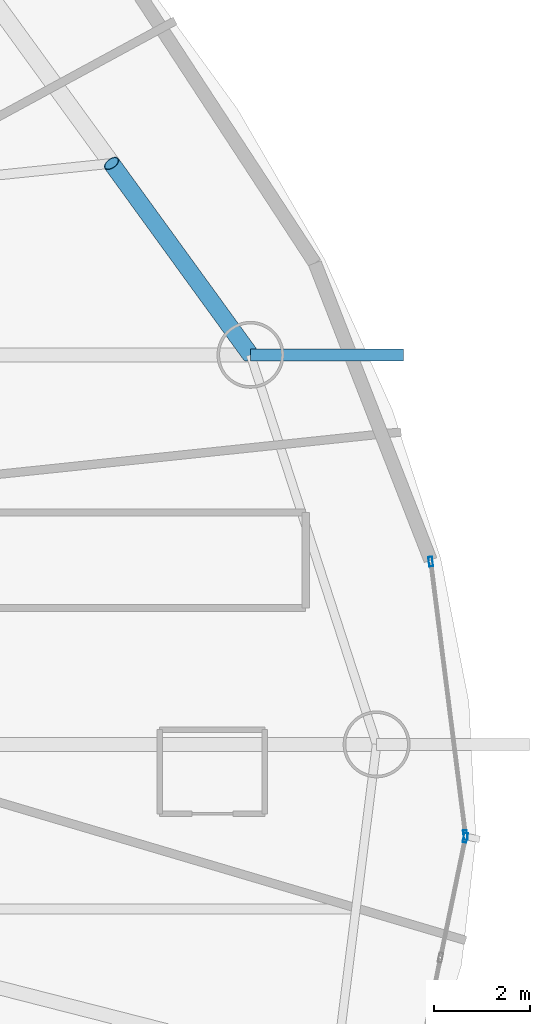
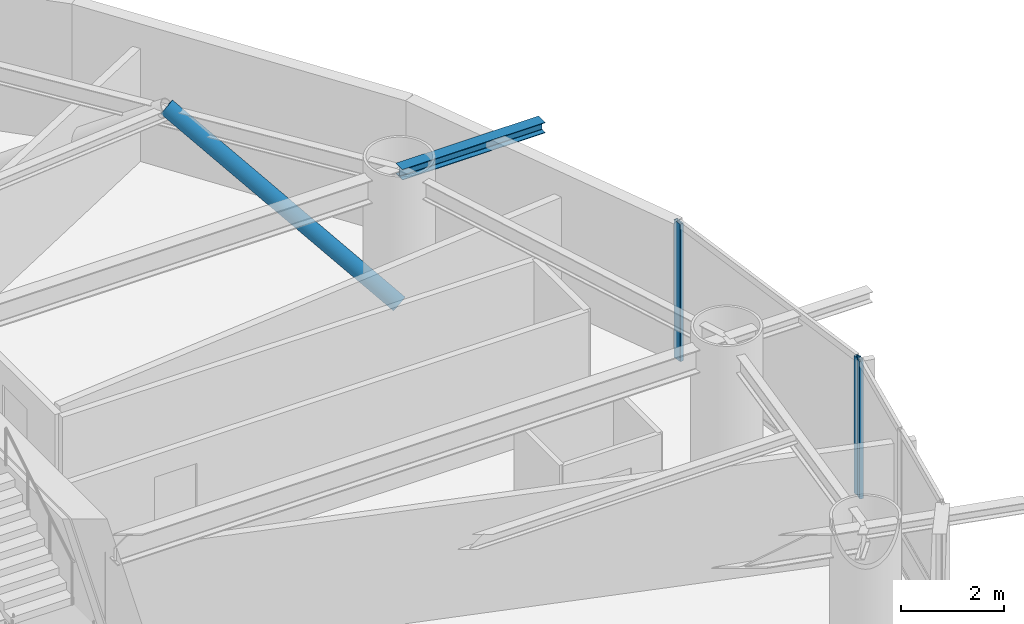
# One storey, part 12 of 26: 4 members, 1 beam, 2 elements without a shape of their own.
"""IFC4 building model written with IfcOpenShell, lengths in metres."""

from ifc_helpers import new_model, si_unit, direction, frame, origin, origin_2d, place, context, subcontext, project, spatial, hollow_rectangle, hollow_circle, i_section, extrude, material, layer, layer_set, material_profile, profile_set, type_object, element, aggregate, save


model = new_model("IFC4")

# Units and contexts
model_context = context("Model", 3, precision=1e-05, world=origin(), true_north=direction((0.0, 1.0)))
body_context = subcontext(model_context, "Body", "Model", "MODEL_VIEW")
ifc_project = project(units=[si_unit("LENGTHUNIT", "METRE"), si_unit("AREAUNIT", "SQUARE_METRE"), si_unit("VOLUMEUNIT", "CUBIC_METRE"), si_unit("PLANEANGLEUNIT", "RADIAN"), si_unit("MASSUNIT", "GRAM", prefix="KILO")], contexts=[model_context])

# Site, building, storey
site_placement = place(None, origin())
site = spatial("IfcSite", under=ifc_project, at=site_placement, CompositionType="ELEMENT")
building_placement = place(site_placement, origin())
building = spatial("IfcBuilding", under=site, at=building_placement, Name="Bramvorn Convention Spire", CompositionType="ELEMENT")
storey_placement = place(building_placement, frame((0.0, 0.0, 123.800048828125)))
storey = spatial("IfcBuildingStorey", under=building, at=storey_placement, Name="L30", CompositionType="ELEMENT", Elevation=123.800048828125)

# Beam
ifc_material_1 = material(Name="Steel CSA G40.21 Grade 350 (350W)", Category="steel")
ifc_material_profile_1 = material_profile(ifc_material_1, i_section(OverallWidth=0.25390625, OverallDepth=0.2529296875, WebThickness=0.008544921875, FlangeThickness=0.01416015625, FilletRadius=0.011962890625, at=origin_2d()))
ifc_profile_set_1 = profile_set([ifc_material_profile_1], Name="Steel CSA G40.21 Grade 350 (350W) - W250X73")
beam_type = type_object("IfcBeamType", Name="BM-W250X73", PredefinedType="BEAM", material=ifc_profile_set_1)
beam_placement = place(storey_placement, frame((60.345703125, 30.293212890625, 3.133544921875), z_axis=(1.0, 0.0, 0.0), x_axis=(0.0, 1.0, 0.0)))
element("IfcBeam", 1, at=beam_placement, inside=storey, type_object=beam_type, Name="L30 slab-edge cantilever tip beam MC03", PredefinedType="BEAM", context=body_context, shape_type="SweptSolid", body=[
    extrude(i_section(OverallWidth=0.25390625, OverallDepth=0.2529296875, WebThickness=0.008544921875, FlangeThickness=0.01416015625, FilletRadius=0.011962890625, at=origin_2d()), origin(), (0.0, 0.0, 1.0), 3.199951171875),
])

# Curtain wall, member
ifc_material_2 = material(Name="Anodised Bronze Unitised Curtain Wall", Category="aluminium")
ifc_layer = layer(ifc_material_2, 0.179931640625)
ifc_layer_set = layer_set([ifc_layer], Name="Anodised Bronze Unitised Curtain Wall - CW-HTL-FRIT")
curtain_wall_type = type_object("IfcCurtainWallType", Name="CW-HTL-FRIT", PredefinedType="USERDEFINED", material=ifc_layer_set)
curtain_wall_1_placement = place(storey_placement, origin())
curtain_wall_1 = element("IfcCurtainWall", 2, at=curtain_wall_1_placement, inside=storey, type_object=curtain_wall_type, Name="L30 fritted glass curtain wall 01", ObjectType="UNITISED CURTAIN WALL", PredefinedType="USERDEFINED")
ifc_material_3 = material(Name="Anodised Bronze Aluminium 6063-T6", Category="aluminium")
ifc_material_profile_2 = material_profile(ifc_material_3, hollow_rectangle(XDim=0.080078125, YDim=0.199951171875, WallThickness=0.00390625, InnerFilletRadius=0.0009765625, OuterFilletRadius=0.00390625, at=origin_2d()))
ifc_profile_set_2 = profile_set([ifc_material_profile_2], Name="Anodised Bronze Aluminium 6063-T6 - CWM80X200")
member_type_1 = type_object("IfcMemberType", Name="CW-MUL-180", PredefinedType="MULLION", material=ifc_profile_set_2)
member_1_placement = place(storey_placement, frame((64.8388671875, 20.1943359375, 0.0), z_axis=(0.0, 0.0, 1.0), x_axis=(0.979146822736, -0.203153881394, 0.0)))
member_1 = element("IfcMember", 3, at=member_1_placement, type_object=member_type_1, Name="CW2 mullion 1", PredefinedType="MULLION", context=body_context, shape_type="SweptSolid", body=[
    extrude(hollow_rectangle(XDim=0.080078125, YDim=0.199951171875, WallThickness=0.00390625, InnerFilletRadius=0.0009765625, OuterFilletRadius=0.00390625, at=origin_2d()), origin(), (0.0, 0.0, 1.0), 3.260009765625),
])
aggregate(curtain_wall_1, [member_1])

# Curtain wall, members
curtain_wall_2_placement = place(storey_placement, origin())
curtain_wall_2 = element("IfcCurtainWall", 4, at=curtain_wall_2_placement, inside=storey, type_object=curtain_wall_type, Name="L30 fritted glass curtain wall 02", ObjectType="UNITISED CURTAIN WALL", PredefinedType="USERDEFINED")
member_2_placement = place(storey_placement, frame((64.11474609375, 25.97021484375, 0.0), z_axis=(0.0, 0.0, 1.0), x_axis=(0.992022687521, 0.126059459955, 0.0)))
member_2 = element("IfcMember", 5, at=member_2_placement, type_object=member_type_1, Name="CW2 mullion 1", PredefinedType="MULLION", context=body_context, shape_type="SweptSolid", body=[
    extrude(hollow_rectangle(XDim=0.080078125, YDim=0.199951171875, WallThickness=0.00390625, InnerFilletRadius=0.0009765625, OuterFilletRadius=0.00390625, at=origin_2d()), origin(), (0.0, 0.0, 1.0), 3.260009765625),
])
member_3_placement = place(storey_placement, frame((64.841064453125, 20.253662109375, 0.0), z_axis=(0.0, 0.0, 1.0), x_axis=(0.992022687521, 0.126059459955, 0.0)))
member_3 = element("IfcMember", 6, at=member_3_placement, type_object=member_type_1, Name="CW2 mullion 2", PredefinedType="MULLION", context=body_context, shape_type="SweptSolid", body=[
    extrude(hollow_rectangle(XDim=0.080078125, YDim=0.199951171875, WallThickness=0.00390625, InnerFilletRadius=0.0009765625, OuterFilletRadius=0.00390625, at=origin_2d()), origin(), (0.0, 0.0, 1.0), 3.260009765625),
])
aggregate(curtain_wall_2, [member_2, member_3])

# Member
ifc_material_profile_3 = material_profile(ifc_material_1, hollow_circle(Radius=0.177734375, WallThickness=0.015869140625, at=origin_2d()))
ifc_profile_set_3 = profile_set([ifc_material_profile_3], Name="Steel CSA G40.21 Grade 350 (350W) - CHS356X16")
member_type_2 = type_object("IfcMemberType", Name="MBR-CHS356X16", PredefinedType="BRACE", material=ifc_profile_set_3)
member_4_placement = place(storey_placement, frame((60.345703125, 30.293212890625, 0.0), z_axis=(-0.490469921938, 0.675720094118, 0.55031046699), x_axis=(-0.809284280508, -0.587417188481, 0.0)))
element("IfcMember", 7, at=member_4_placement, inside=storey, type_object=member_type_2, Name="L30 perimeter Gothic lancet brace 3A", PredefinedType="BRACE", context=body_context, shape_type="SweptSolid", body=[
    extrude(hollow_circle(Radius=0.177734375, WallThickness=0.015869140625, at=origin_2d()), origin(), (0.0, 0.0, 1.0), 5.923828125),
])

save(model, "model.ifc")
